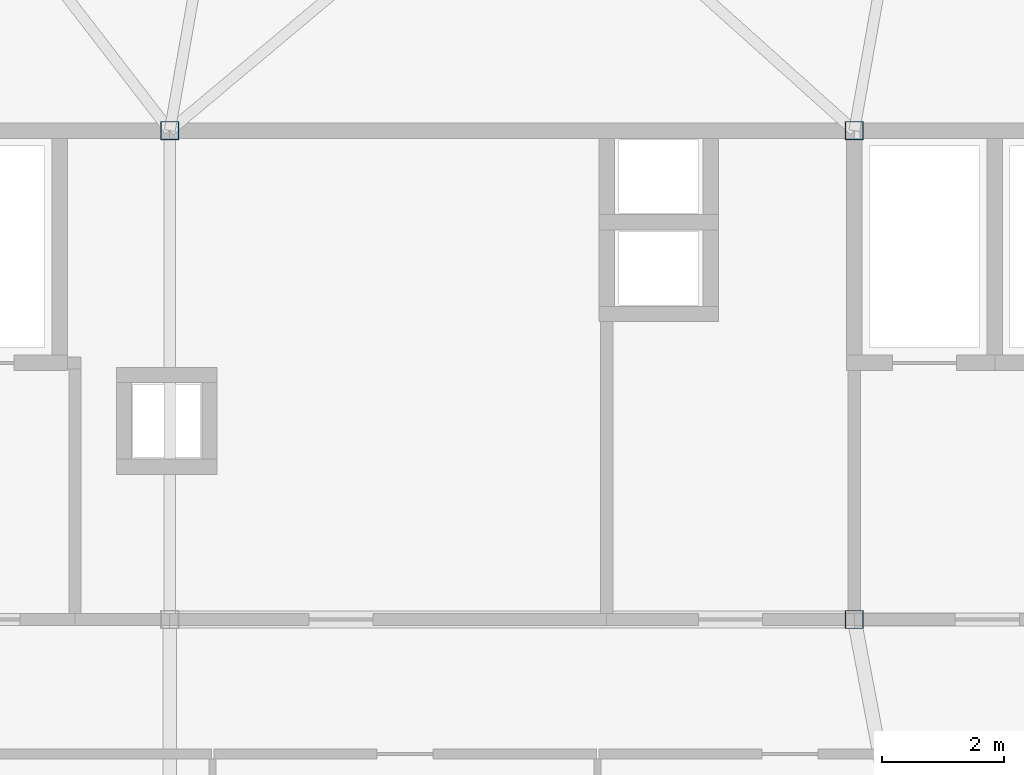
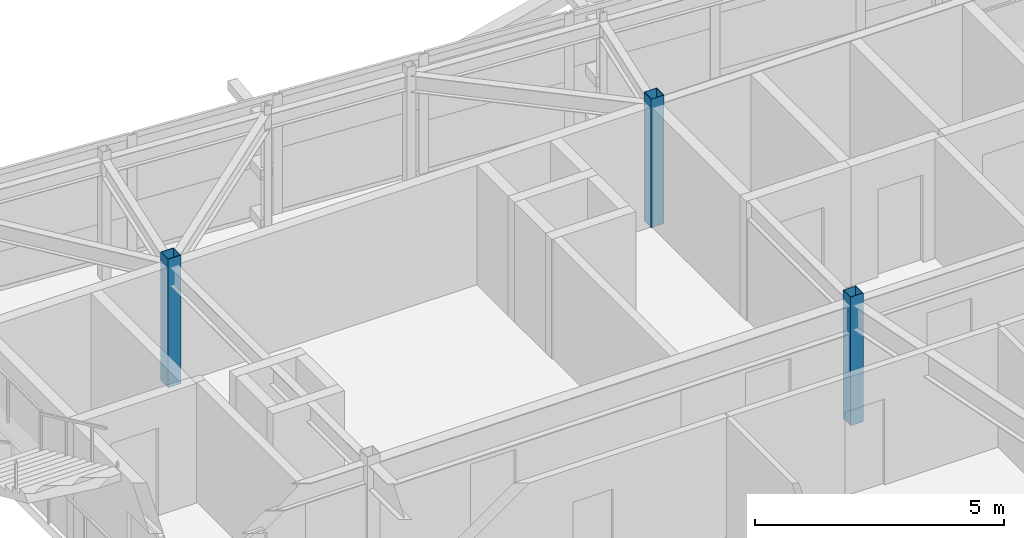
# One storey, part 4 of 42: 3 columns.
"""IFC4 building model written with IfcOpenShell, lengths in metres."""

from ifc_helpers import new_model, si_unit, direction, frame, origin, origin_2d, place, context, subcontext, project, spatial, hollow_rectangle, extrude, source, transform, mapped, material, material_profile, profile_set, type_object, element, save


model = new_model("IFC4")

# Units and contexts
model_context = context("Model", 3, precision=1e-05, world=origin(), true_north=direction((0.0, 1.0)))
body_context = subcontext(model_context, "Body", "Model", "MODEL_VIEW")
ifc_project = project(units=[si_unit("LENGTHUNIT", "METRE"), si_unit("AREAUNIT", "SQUARE_METRE"), si_unit("VOLUMEUNIT", "CUBIC_METRE"), si_unit("PLANEANGLEUNIT", "RADIAN"), si_unit("MASSUNIT", "GRAM", prefix="KILO")], contexts=[model_context])

# Site, building, storey
site_placement = place(None, origin())
site = spatial("IfcSite", under=ifc_project, at=site_placement, CompositionType="ELEMENT")
building_placement = place(site_placement, origin())
building = spatial("IfcBuilding", under=site, at=building_placement, Name="Taldren Reach Tower", CompositionType="ELEMENT")
storey_placement = place(building_placement, frame((0.0, 0.0, 224.0)))
storey = spatial("IfcBuildingStorey", under=building, at=storey_placement, Name="L68", CompositionType="ELEMENT", Elevation=224.0)

# Columns
ifc_material = material(Name="Steel Gr 450 (C450L0)", Category="steel")
ifc_material_profile = material_profile(ifc_material, hollow_rectangle(XDim=0.300048828125, YDim=0.300048828125, WallThickness=0.012451171875, at=origin_2d()), Name="300x300x12.5SHS")
ifc_profile_set = profile_set([ifc_material_profile], Name="Steel Gr 450 (C450L0)")
column_type = type_object("IfcColumnType", Name="COL-SHS300", PredefinedType="COLUMN", material=ifc_profile_set)
shared_shape = source(origin(), body_context, "Body", "SweptSolid", [
    extrude(hollow_rectangle(XDim=0.300048828125, YDim=0.300048828125, WallThickness=0.012451171875, at=origin_2d()), origin(), (0.0, 0.0, 1.0), 3.14990234375),
])
for number, where, z_axis, x_axis, name in (
    (1, (39.199951171875, 24.0, 0.0), (0.0, 0.0, 1.0), (1.0, 0.0, 0.0), "Mega column MC-C3 L68"),
    (2, (28.0, 32.0, 0.0), (0.0, 0.0, 1.0), (1.0, 0.0, 0.0), "Mega column MC-C6 L68"),
    (3, (39.199951171875, 32.0, 0.0), (0.0, 0.0, 1.0), (1.0, 0.0, 0.0), "Mega column MC-C7 L68"),
):
    element("IfcColumn", number, at=place(storey_placement, frame(where, z_axis=z_axis, x_axis=x_axis)), inside=storey, type_object=column_type, Name=name, PredefinedType="COLUMN", context=body_context, shape_type="MappedRepresentation", body=[
        mapped(shared_shape, transform((0.0, 0.0, 0.0), scale=1.0)),
    ])

save(model, "model.ifc")
